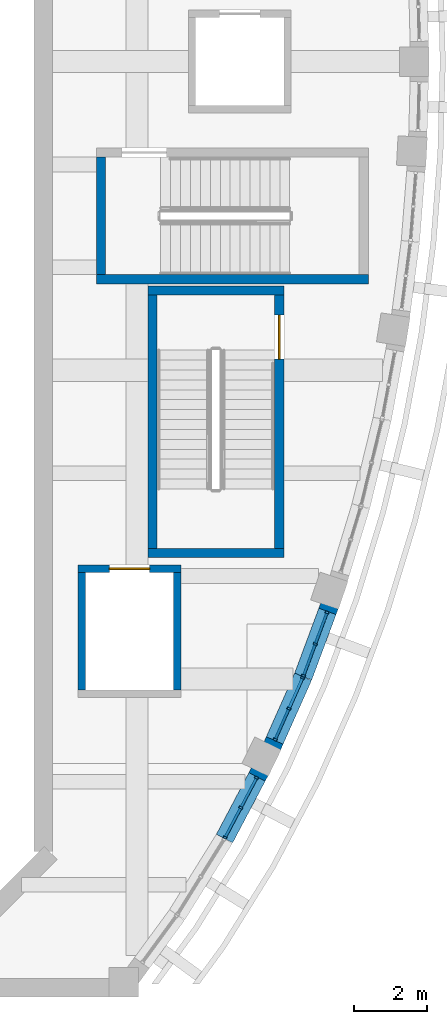
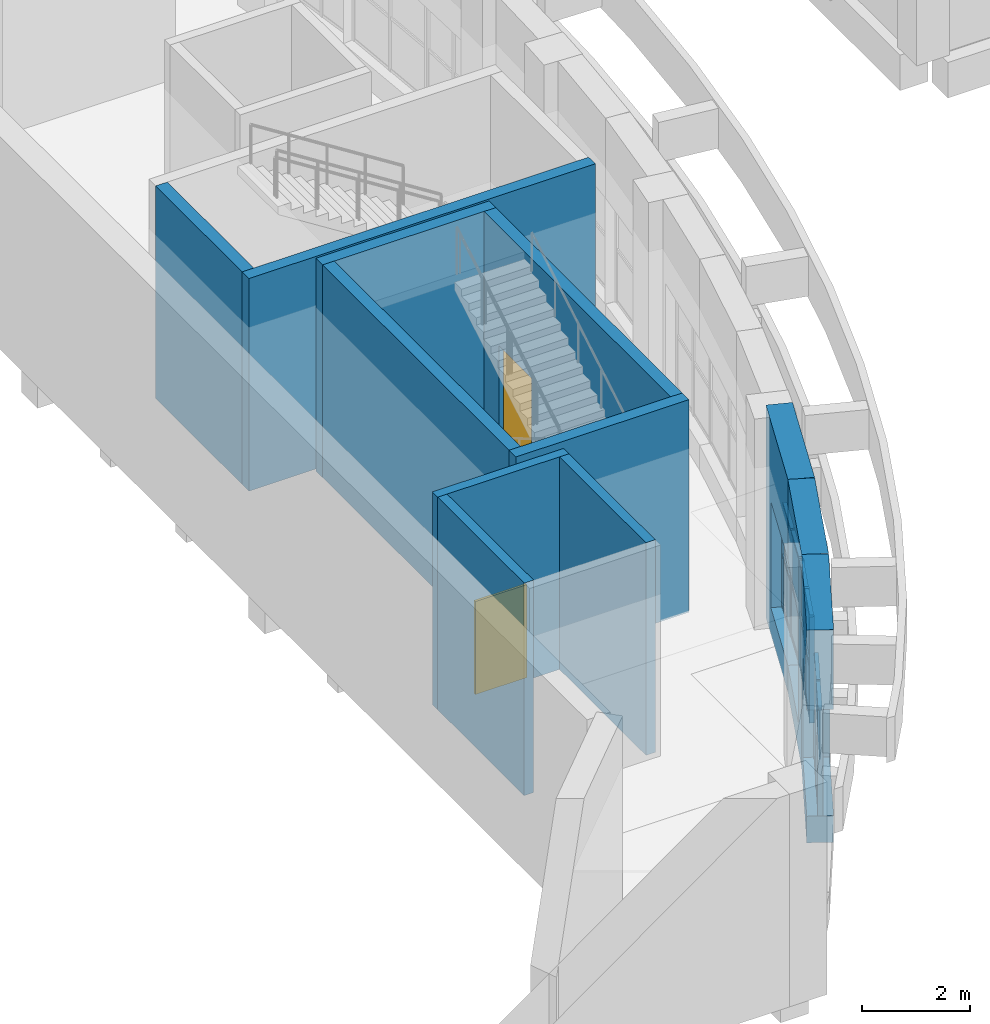
# One storey, part 26 of 79: 27 members, 12 plates, 12 walls, 2 doors, 5 openings, 3 elements without a shape of their own.
"""IFC4 building model written with IfcOpenShell, lengths in metres."""

from ifc_helpers import new_model, si_unit, direction, frame, frame_2d, origin, origin_2d, place, context, subcontext, project, spatial, rectangle, extrude, material, layer, layer_set, material_profile, profile_set, type_object, element, fill, aggregate, save


model = new_model("IFC4")

# Units and contexts
model_context = context("Model", 3, precision=1e-05, world=origin(), true_north=direction((0.0, 1.0)))
body_context = subcontext(model_context, "Body", "Model", "MODEL_VIEW")
ifc_project = project(units=[si_unit("LENGTHUNIT", "METRE"), si_unit("AREAUNIT", "SQUARE_METRE"), si_unit("VOLUMEUNIT", "CUBIC_METRE"), si_unit("PLANEANGLEUNIT", "RADIAN"), si_unit("MASSUNIT", "GRAM", prefix="KILO")], contexts=[model_context])

# Site, building, storey
site_placement = place(None, origin())
site = spatial("IfcSite", under=ifc_project, at=site_placement, CompositionType="ELEMENT")
building_placement = place(site_placement, origin())
building = spatial("IfcBuilding", under=site, at=building_placement, Name="Larchfold Concert Hall", CompositionType="ELEMENT")
storey_placement = place(building_placement, frame((0.0, 0.0, 14.39990234375)))
storey = spatial("IfcBuildingStorey", under=building, at=storey_placement, Name="L03", CompositionType="ELEMENT", Elevation=14.39990234375)

# Curtain wall, members
ifc_material_1 = material(Name="Anodised graphite aluminium curtain wall", Category="aluminium")
ifc_layer_1 = layer(ifc_material_1, 0.10009765625)
ifc_layer_set_1 = layer_set([ifc_layer_1], Name="Anodised graphite aluminium curtain wall")
curtain_wall_type = type_object("IfcCurtainWallType", Name="Curtain wall GB", PredefinedType="NOTDEFINED", material=ifc_layer_set_1)
curtain_wall_1_placement = place(storey_placement, origin())
curtain_wall_1 = element("IfcCurtainWall", 1, at=curtain_wall_1_placement, inside=storey, type_object=curtain_wall_type, Name="Curtain wall CW0052", PredefinedType="NOTDEFINED")
ifc_material_2 = material(Name="Anodised graphite aluminium mullion", Category="aluminium")
ifc_material_profile_1 = material_profile(ifc_material_2, rectangle(XDim=0.10009765625, YDim=0.06005859375, at=origin_2d()))
ifc_profile_set_1 = profile_set([ifc_material_profile_1], Name="Anodised graphite aluminium mullion")
member_type_1 = type_object("IfcMemberType", Name="Aluminium mullion 60x100", PredefinedType="MULLION", material=ifc_profile_set_1)
member_1_placement = place(storey_placement, frame((61.7998046875, 63.482177734375, 0.60009765625), z_axis=(0.0, 0.0, 1.0), x_axis=(-0.884521833753, 0.466498794868, 0.0)))
member_1 = element("IfcMember", 2, at=member_1_placement, type_object=member_type_1, Name="CW0052 mullion 1", PredefinedType="MULLION", context=body_context, shape_type="SweptSolid", body=[
    extrude(rectangle(XDim=0.10009765625, YDim=0.06005859375, at=origin_2d()), origin(), (0.0, 0.0, 1.0), 2.39990234375),
])
member_2_placement = place(storey_placement, frame((62.228759765625, 64.29541015625, 0.60009765625), z_axis=(0.0, 0.0, 1.0), x_axis=(-0.884521833753, 0.466498794868, 0.0)))
member_2 = element("IfcMember", 3, at=member_2_placement, type_object=member_type_1, Name="CW0052 mullion 2", PredefinedType="MULLION", context=body_context, shape_type="SweptSolid", body=[
    extrude(rectangle(XDim=0.10009765625, YDim=0.06005859375, at=origin_2d()), origin(), (0.0, 0.0, 1.0), 2.39990234375),
])
member_3_placement = place(storey_placement, frame((62.65771484375, 65.1083984375, 0.60009765625), z_axis=(0.0, 0.0, 1.0), x_axis=(-0.884521833753, 0.466498794868, 0.0)))
member_3 = element("IfcMember", 4, at=member_3_placement, type_object=member_type_1, Name="CW0052 mullion 3", PredefinedType="MULLION", context=body_context, shape_type="SweptSolid", body=[
    extrude(rectangle(XDim=0.10009765625, YDim=0.06005859375, at=origin_2d()), origin(), (0.0, 0.0, 1.0), 2.39990234375),
])

curtain_wall_2_placement = place(storey_placement, origin())
curtain_wall_2 = element("IfcCurtainWall", 5, at=curtain_wall_2_placement, inside=storey, type_object=curtain_wall_type, Name="Curtain wall CW0053", PredefinedType="NOTDEFINED")
member_4_placement = place(storey_placement, frame((63.164306640625, 66.15185546875, 0.60009765625), z_axis=(0.0, 0.0, 1.0), x_axis=(-0.913540898179, 0.406746883645, 0.0)))
member_4 = element("IfcMember", 6, at=member_4_placement, type_object=member_type_1, Name="CW0053 mullion 1", PredefinedType="MULLION", context=body_context, shape_type="SweptSolid", body=[
    extrude(rectangle(XDim=0.10009765625, YDim=0.06005859375, at=origin_2d()), origin(), (0.0, 0.0, 1.0), 2.39990234375),
])
member_5_placement = place(storey_placement, frame((63.538330078125, 66.99169921875, 0.60009765625), z_axis=(0.0, 0.0, 1.0), x_axis=(-0.913540898179, 0.406746883645, 0.0)))
member_5 = element("IfcMember", 7, at=member_5_placement, type_object=member_type_1, Name="CW0053 mullion 2", PredefinedType="MULLION", context=body_context, shape_type="SweptSolid", body=[
    extrude(rectangle(XDim=0.10009765625, YDim=0.06005859375, at=origin_2d()), origin(), (0.0, 0.0, 1.0), 2.39990234375),
])
member_6_placement = place(storey_placement, frame((63.912109375, 67.83154296875, 0.60009765625), z_axis=(0.0, 0.0, 1.0), x_axis=(-0.913540898179, 0.406746883645, 0.0)))
member_6 = element("IfcMember", 8, at=member_6_placement, type_object=member_type_1, Name="CW0053 mullion 3", PredefinedType="MULLION", context=body_context, shape_type="SweptSolid", body=[
    extrude(rectangle(XDim=0.10009765625, YDim=0.06005859375, at=origin_2d()), origin(), (0.0, 0.0, 1.0), 2.39990234375),
])

curtain_wall_3_placement = place(storey_placement, origin())
curtain_wall_3 = element("IfcCurtainWall", 9, at=curtain_wall_3_placement, inside=storey, type_object=curtain_wall_type, Name="Curtain wall CW0054", PredefinedType="NOTDEFINED")
member_7_placement = place(storey_placement, frame((63.934814453125, 67.886962890625, 0.60009765625), z_axis=(0.0, 0.0, 1.0), x_axis=(-0.937187641054, 0.348825637613, 0.0)))
member_7 = element("IfcMember", 10, at=member_7_placement, type_object=member_type_1, Name="CW0054 mullion 1", PredefinedType="MULLION", context=body_context, shape_type="SweptSolid", body=[
    extrude(rectangle(XDim=0.10009765625, YDim=0.06005859375, at=origin_2d()), origin(), (0.0, 0.0, 1.0), 2.39990234375),
])
member_8_placement = place(storey_placement, frame((64.25537109375, 68.748779296875, 0.60009765625), z_axis=(0.0, 0.0, 1.0), x_axis=(-0.937187641054, 0.348825637613, 0.0)))
member_8 = element("IfcMember", 11, at=member_8_placement, type_object=member_type_1, Name="CW0054 mullion 2", PredefinedType="MULLION", context=body_context, shape_type="SweptSolid", body=[
    extrude(rectangle(XDim=0.10009765625, YDim=0.06005859375, at=origin_2d()), origin(), (0.0, 0.0, 1.0), 2.39990234375),
])
member_9_placement = place(storey_placement, frame((64.576171875, 69.6103515625, 0.60009765625), z_axis=(0.0, 0.0, 1.0), x_axis=(-0.937187641054, 0.348825637613, 0.0)))
member_9 = element("IfcMember", 12, at=member_9_placement, type_object=member_type_1, Name="CW0054 mullion 3", PredefinedType="MULLION", context=body_context, shape_type="SweptSolid", body=[
    extrude(rectangle(XDim=0.10009765625, YDim=0.06005859375, at=origin_2d()), origin(), (0.0, 0.0, 1.0), 2.39990234375),
])

# Member
ifc_material_3 = material(Name="Anodised graphite aluminium transom", Category="aluminium")
ifc_material_profile_2 = material_profile(ifc_material_3, rectangle(XDim=0.080078125, YDim=0.06005859375, at=origin_2d()))
ifc_profile_set_2 = profile_set([ifc_material_profile_2], Name="Anodised graphite aluminium transom")
member_type_2 = type_object("IfcMemberType", Name="Aluminium transom 60x80", PredefinedType="USERDEFINED", material=ifc_profile_set_2)
member_10_placement = place(storey_placement, frame((61.81396484375, 63.508544921875, 0.630126953125), z_axis=(0.466425326776, 0.88456057709, 0.0), x_axis=(-0.88456057709, 0.466425326776, 0.0)))
member_10 = element("IfcMember", 13, at=member_10_placement, type_object=member_type_2, Name="CW0052 transom 1.1", ObjectType="TRANSOM", PredefinedType="USERDEFINED", context=body_context, shape_type="SweptSolid", body=[
    extrude(rectangle(XDim=0.080078125, YDim=0.06005859375, at=origin_2d()), origin(), (0.0, 0.0, 1.0), 0.859375),
])

member_11_placement = place(storey_placement, frame((61.81396484375, 63.508544921875, 1.800048828125), z_axis=(0.466425326776, 0.88456057709, 0.0), x_axis=(-0.88456057709, 0.466425326776, 0.0)))
member_11 = element("IfcMember", 14, at=member_11_placement, type_object=member_type_2, Name="CW0052 transom 1.2", ObjectType="TRANSOM", PredefinedType="USERDEFINED", context=body_context, shape_type="SweptSolid", body=[
    extrude(rectangle(XDim=0.080078125, YDim=0.06005859375, at=origin_2d()), origin(), (0.0, 0.0, 1.0), 0.859375),
])

member_12_placement = place(storey_placement, frame((61.81396484375, 63.508544921875, 2.969970703125), z_axis=(0.466425326776, 0.88456057709, 0.0), x_axis=(-0.88456057709, 0.466425326776, 0.0)))
member_12 = element("IfcMember", 15, at=member_12_placement, type_object=member_type_2, Name="CW0052 transom 1.3", ObjectType="TRANSOM", PredefinedType="USERDEFINED", context=body_context, shape_type="SweptSolid", body=[
    extrude(rectangle(XDim=0.080078125, YDim=0.06005859375, at=origin_2d()), origin(), (0.0, 0.0, 1.0), 0.859375),
])

member_13_placement = place(storey_placement, frame((62.24267578125, 64.32177734375, 0.630126953125), z_axis=(0.466425326776, 0.88456057709, 0.0), x_axis=(-0.88456057709, 0.466425326776, 0.0)))
member_13 = element("IfcMember", 16, at=member_13_placement, type_object=member_type_2, Name="CW0052 transom 2.1", ObjectType="TRANSOM", PredefinedType="USERDEFINED", context=body_context, shape_type="SweptSolid", body=[
    extrude(rectangle(XDim=0.080078125, YDim=0.06005859375, at=origin_2d()), origin(), (0.0, 0.0, 1.0), 0.859375),
])

member_14_placement = place(storey_placement, frame((62.24267578125, 64.32177734375, 1.800048828125), z_axis=(0.466425326776, 0.88456057709, 0.0), x_axis=(-0.88456057709, 0.466425326776, 0.0)))
member_14 = element("IfcMember", 17, at=member_14_placement, type_object=member_type_2, Name="CW0052 transom 2.2", ObjectType="TRANSOM", PredefinedType="USERDEFINED", context=body_context, shape_type="SweptSolid", body=[
    extrude(rectangle(XDim=0.080078125, YDim=0.06005859375, at=origin_2d()), origin(), (0.0, 0.0, 1.0), 0.859375),
])

member_15_placement = place(storey_placement, frame((62.24267578125, 64.32177734375, 2.969970703125), z_axis=(0.466425326776, 0.88456057709, 0.0), x_axis=(-0.88456057709, 0.466425326776, 0.0)))
member_15 = element("IfcMember", 18, at=member_15_placement, type_object=member_type_2, Name="CW0052 transom 2.3", ObjectType="TRANSOM", PredefinedType="USERDEFINED", context=body_context, shape_type="SweptSolid", body=[
    extrude(rectangle(XDim=0.080078125, YDim=0.06005859375, at=origin_2d()), origin(), (0.0, 0.0, 1.0), 0.859375),
])

member_16_placement = place(storey_placement, frame((63.176513671875, 66.179443359375, 0.630126953125), z_axis=(0.406876489942, 0.91348318098, 0.0), x_axis=(-0.91348318098, 0.406876489942, 0.0)))
member_16 = element("IfcMember", 19, at=member_16_placement, type_object=member_type_2, Name="CW0053 transom 1.1", ObjectType="TRANSOM", PredefinedType="USERDEFINED", context=body_context, shape_type="SweptSolid", body=[
    extrude(rectangle(XDim=0.080078125, YDim=0.06005859375, at=origin_2d()), origin(), (0.0, 0.0, 1.0), 0.859130859375),
])

member_17_placement = place(storey_placement, frame((63.176513671875, 66.179443359375, 1.800048828125), z_axis=(0.406876489942, 0.91348318098, 0.0), x_axis=(-0.91348318098, 0.406876489942, 0.0)))
member_17 = element("IfcMember", 20, at=member_17_placement, type_object=member_type_2, Name="CW0053 transom 1.2", ObjectType="TRANSOM", PredefinedType="USERDEFINED", context=body_context, shape_type="SweptSolid", body=[
    extrude(rectangle(XDim=0.080078125, YDim=0.06005859375, at=origin_2d()), origin(), (0.0, 0.0, 1.0), 0.859130859375),
])

member_18_placement = place(storey_placement, frame((63.176513671875, 66.179443359375, 2.969970703125), z_axis=(0.406876489942, 0.91348318098, 0.0), x_axis=(-0.91348318098, 0.406876489942, 0.0)))
member_18 = element("IfcMember", 21, at=member_18_placement, type_object=member_type_2, Name="CW0053 transom 1.3", ObjectType="TRANSOM", PredefinedType="USERDEFINED", context=body_context, shape_type="SweptSolid", body=[
    extrude(rectangle(XDim=0.080078125, YDim=0.06005859375, at=origin_2d()), origin(), (0.0, 0.0, 1.0), 0.859130859375),
])

member_19_placement = place(storey_placement, frame((63.55029296875, 67.01904296875, 0.630126953125), z_axis=(0.406876489942, 0.91348318098, 0.0), x_axis=(-0.91348318098, 0.406876489942, 0.0)))
member_19 = element("IfcMember", 22, at=member_19_placement, type_object=member_type_2, Name="CW0053 transom 2.1", ObjectType="TRANSOM", PredefinedType="USERDEFINED", context=body_context, shape_type="SweptSolid", body=[
    extrude(rectangle(XDim=0.080078125, YDim=0.06005859375, at=origin_2d()), origin(), (0.0, 0.0, 1.0), 0.859130859375),
])

member_20_placement = place(storey_placement, frame((63.55029296875, 67.01904296875, 1.800048828125), z_axis=(0.406876489942, 0.91348318098, 0.0), x_axis=(-0.91348318098, 0.406876489942, 0.0)))
member_20 = element("IfcMember", 23, at=member_20_placement, type_object=member_type_2, Name="CW0053 transom 2.2", ObjectType="TRANSOM", PredefinedType="USERDEFINED", context=body_context, shape_type="SweptSolid", body=[
    extrude(rectangle(XDim=0.080078125, YDim=0.06005859375, at=origin_2d()), origin(), (0.0, 0.0, 1.0), 0.859130859375),
])

member_21_placement = place(storey_placement, frame((63.55029296875, 67.01904296875, 2.969970703125), z_axis=(0.406876489942, 0.91348318098, 0.0), x_axis=(-0.91348318098, 0.406876489942, 0.0)))
member_21 = element("IfcMember", 24, at=member_21_placement, type_object=member_type_2, Name="CW0053 transom 2.3", ObjectType="TRANSOM", PredefinedType="USERDEFINED", context=body_context, shape_type="SweptSolid", body=[
    extrude(rectangle(XDim=0.080078125, YDim=0.06005859375, at=origin_2d()), origin(), (0.0, 0.0, 1.0), 0.859130859375),
])

member_22_placement = place(storey_placement, frame((63.9453125, 67.9150390625, 0.630126953125), z_axis=(0.348849770379, 0.937178658371, 0.0), x_axis=(-0.937178658371, 0.348849770379, 0.0)))
member_22 = element("IfcMember", 25, at=member_22_placement, type_object=member_type_2, Name="CW0054 transom 1.1", ObjectType="TRANSOM", PredefinedType="USERDEFINED", context=body_context, shape_type="SweptSolid", body=[
    extrude(rectangle(XDim=0.080078125, YDim=0.06005859375, at=origin_2d()), origin(), (0.0, 0.0, 1.0), 0.859375),
])

member_23_placement = place(storey_placement, frame((63.9453125, 67.9150390625, 1.800048828125), z_axis=(0.348849770379, 0.937178658371, 0.0), x_axis=(-0.937178658371, 0.348849770379, 0.0)))
member_23 = element("IfcMember", 26, at=member_23_placement, type_object=member_type_2, Name="CW0054 transom 1.2", ObjectType="TRANSOM", PredefinedType="USERDEFINED", context=body_context, shape_type="SweptSolid", body=[
    extrude(rectangle(XDim=0.080078125, YDim=0.06005859375, at=origin_2d()), origin(), (0.0, 0.0, 1.0), 0.859375),
])

member_24_placement = place(storey_placement, frame((63.9453125, 67.9150390625, 2.969970703125), z_axis=(0.348849770379, 0.937178658371, 0.0), x_axis=(-0.937178658371, 0.348849770379, 0.0)))
member_24 = element("IfcMember", 27, at=member_24_placement, type_object=member_type_2, Name="CW0054 transom 1.3", ObjectType="TRANSOM", PredefinedType="USERDEFINED", context=body_context, shape_type="SweptSolid", body=[
    extrude(rectangle(XDim=0.080078125, YDim=0.06005859375, at=origin_2d()), origin(), (0.0, 0.0, 1.0), 0.859375),
])

member_25_placement = place(storey_placement, frame((64.265869140625, 68.77685546875, 0.630126953125), z_axis=(0.348849770379, 0.937178658371, 0.0), x_axis=(-0.937178658371, 0.348849770379, 0.0)))
member_25 = element("IfcMember", 28, at=member_25_placement, type_object=member_type_2, Name="CW0054 transom 2.1", ObjectType="TRANSOM", PredefinedType="USERDEFINED", context=body_context, shape_type="SweptSolid", body=[
    extrude(rectangle(XDim=0.080078125, YDim=0.06005859375, at=origin_2d()), origin(), (0.0, 0.0, 1.0), 0.859375),
])

member_26_placement = place(storey_placement, frame((64.265869140625, 68.77685546875, 1.800048828125), z_axis=(0.348849770379, 0.937178658371, 0.0), x_axis=(-0.937178658371, 0.348849770379, 0.0)))
member_26 = element("IfcMember", 29, at=member_26_placement, type_object=member_type_2, Name="CW0054 transom 2.2", ObjectType="TRANSOM", PredefinedType="USERDEFINED", context=body_context, shape_type="SweptSolid", body=[
    extrude(rectangle(XDim=0.080078125, YDim=0.06005859375, at=origin_2d()), origin(), (0.0, 0.0, 1.0), 0.859375),
])

member_27_placement = place(storey_placement, frame((64.265869140625, 68.77685546875, 2.969970703125), z_axis=(0.348849770379, 0.937178658371, 0.0), x_axis=(-0.937178658371, 0.348849770379, 0.0)))
member_27 = element("IfcMember", 30, at=member_27_placement, type_object=member_type_2, Name="CW0054 transom 2.3", ObjectType="TRANSOM", PredefinedType="USERDEFINED", context=body_context, shape_type="SweptSolid", body=[
    extrude(rectangle(XDim=0.080078125, YDim=0.06005859375, at=origin_2d()), origin(), (0.0, 0.0, 1.0), 0.859375),
])

# Plate
ifc_material_4 = material(Name="Insulated glazing unit, glass", Category="glass")
ifc_layer_2 = layer(ifc_material_4, 0.02392578125)
ifc_layer_set_2 = layer_set([ifc_layer_2], Name="Insulated glazing unit, glass")
plate_type_1 = type_object("IfcPlateType", Name="Glass panel 24", PredefinedType="CURTAIN_PANEL", material=ifc_layer_set_2)
plate_1_placement = place(storey_placement, frame((62.014404296875, 63.888671875, 1.830078125), z_axis=(0.0, 0.0, 1.0), x_axis=(0.466498794868, 0.884521833753, 0.0)))
plate_1 = element("IfcPlate", 31, at=plate_1_placement, type_object=plate_type_1, Name="CW0052 panel 1.2", PredefinedType="CURTAIN_PANEL", context=body_context, shape_type="SweptSolid", body=[
    extrude(rectangle(XDim=0.859375, YDim=0.02392578125, at=origin_2d()), origin(), (0.0, 0.0, 1.0), 1.10986328125),
])

plate_2_placement = place(storey_placement, frame((62.443115234375, 64.701904296875, 1.830078125), z_axis=(0.0, 0.0, 1.0), x_axis=(0.466498794868, 0.884521833753, 0.0)))
plate_2 = element("IfcPlate", 32, at=plate_2_placement, type_object=plate_type_1, Name="CW0052 panel 2.2", PredefinedType="CURTAIN_PANEL", context=body_context, shape_type="SweptSolid", body=[
    extrude(rectangle(XDim=0.859375, YDim=0.02392578125, at=origin_2d()), origin(), (0.0, 0.0, 1.0), 1.10986328125),
])

plate_3_placement = place(storey_placement, frame((63.351318359375, 66.57177734375, 1.830078125), z_axis=(0.0, 0.0, 1.0), x_axis=(0.406746883645, 0.913540898179, 0.0)))
plate_3 = element("IfcPlate", 33, at=plate_3_placement, type_object=plate_type_1, Name="CW0053 panel 1.2", PredefinedType="CURTAIN_PANEL", context=body_context, shape_type="SweptSolid", body=[
    extrude(rectangle(XDim=0.859375, YDim=0.02392578125, at=origin_2d()), origin(), (0.0, 0.0, 1.0), 1.10986328125),
])

plate_4_placement = place(storey_placement, frame((63.72509765625, 67.41162109375, 1.830078125), z_axis=(0.0, 0.0, 1.0), x_axis=(0.406746883645, 0.913540898179, 0.0)))
plate_4 = element("IfcPlate", 34, at=plate_4_placement, type_object=plate_type_1, Name="CW0053 panel 2.2", PredefinedType="CURTAIN_PANEL", context=body_context, shape_type="SweptSolid", body=[
    extrude(rectangle(XDim=0.859375, YDim=0.02392578125, at=origin_2d()), origin(), (0.0, 0.0, 1.0), 1.10986328125),
])

plate_5_placement = place(storey_placement, frame((64.09521484375, 68.31787109375, 1.830078125), z_axis=(0.0, 0.0, 1.0), x_axis=(0.348825637613, 0.937187641054, 0.0)))
plate_5 = element("IfcPlate", 35, at=plate_5_placement, type_object=plate_type_1, Name="CW0054 panel 1.2", PredefinedType="CURTAIN_PANEL", context=body_context, shape_type="SweptSolid", body=[
    extrude(rectangle(XDim=0.859375, YDim=0.02392578125, at=origin_2d()), origin(), (0.0, 0.0, 1.0), 1.10986328125),
])

plate_6_placement = place(storey_placement, frame((64.415771484375, 69.179443359375, 1.830078125), z_axis=(0.0, 0.0, 1.0), x_axis=(0.348825637613, 0.937187641054, 0.0)))
plate_6 = element("IfcPlate", 36, at=plate_6_placement, type_object=plate_type_1, Name="CW0054 panel 2.2", PredefinedType="CURTAIN_PANEL", context=body_context, shape_type="SweptSolid", body=[
    extrude(rectangle(XDim=0.859375, YDim=0.02392578125, at=origin_2d()), origin(), (0.0, 0.0, 1.0), 1.10986328125),
])

ifc_material_5 = material(Name="White insulated panel")
ifc_layer_3 = layer(ifc_material_5, 0.050048828125)
ifc_layer_set_3 = layer_set([ifc_layer_3], Name="White insulated panel")
plate_type_2 = type_object("IfcPlateType", Name="Insulated spandrel panel 50", PredefinedType="CURTAIN_PANEL", material=ifc_layer_set_3)
plate_7_placement = place(storey_placement, frame((62.014404296875, 63.888671875, 0.66015625), z_axis=(0.0, 0.0, 1.0), x_axis=(0.466498794868, 0.884521833753, 0.0)))
plate_7 = element("IfcPlate", 37, at=plate_7_placement, type_object=plate_type_2, Name="CW0052 panel 1.1", PredefinedType="CURTAIN_PANEL", context=body_context, shape_type="SweptSolid", body=[
    extrude(rectangle(XDim=0.859375, YDim=0.050048828125, at=origin_2d()), origin(), (0.0, 0.0, 1.0), 1.10986328125),
])

plate_8_placement = place(storey_placement, frame((62.443115234375, 64.701904296875, 0.66015625), z_axis=(0.0, 0.0, 1.0), x_axis=(0.466498794868, 0.884521833753, 0.0)))
plate_8 = element("IfcPlate", 38, at=plate_8_placement, type_object=plate_type_2, Name="CW0052 panel 2.1", PredefinedType="CURTAIN_PANEL", context=body_context, shape_type="SweptSolid", body=[
    extrude(rectangle(XDim=0.859375, YDim=0.050048828125, at=origin_2d()), origin(), (0.0, 0.0, 1.0), 1.10986328125),
])

aggregate(curtain_wall_1, [member_1, member_2, member_3, member_10, member_11, member_12, plate_7, plate_1, member_13, member_14, member_15, plate_8, plate_2])

plate_9_placement = place(storey_placement, frame((63.351318359375, 66.57177734375, 0.66015625), z_axis=(0.0, 0.0, 1.0), x_axis=(0.406746883645, 0.913540898179, 0.0)))
plate_9 = element("IfcPlate", 39, at=plate_9_placement, type_object=plate_type_2, Name="CW0053 panel 1.1", PredefinedType="CURTAIN_PANEL", context=body_context, shape_type="SweptSolid", body=[
    extrude(rectangle(XDim=0.859375, YDim=0.050048828125, at=origin_2d()), origin(), (0.0, 0.0, 1.0), 1.10986328125),
])

plate_10_placement = place(storey_placement, frame((63.72509765625, 67.41162109375, 0.66015625), z_axis=(0.0, 0.0, 1.0), x_axis=(0.406746883645, 0.913540898179, 0.0)))
plate_10 = element("IfcPlate", 40, at=plate_10_placement, type_object=plate_type_2, Name="CW0053 panel 2.1", PredefinedType="CURTAIN_PANEL", context=body_context, shape_type="SweptSolid", body=[
    extrude(rectangle(XDim=0.859375, YDim=0.050048828125, at=origin_2d()), origin(), (0.0, 0.0, 1.0), 1.10986328125),
])

aggregate(curtain_wall_2, [member_4, member_5, member_6, member_16, member_17, member_18, plate_9, plate_3, member_19, member_20, member_21, plate_10, plate_4])

plate_11_placement = place(storey_placement, frame((64.09521484375, 68.31787109375, 0.66015625), z_axis=(0.0, 0.0, 1.0), x_axis=(0.348825637613, 0.937187641054, 0.0)))
plate_11 = element("IfcPlate", 41, at=plate_11_placement, type_object=plate_type_2, Name="CW0054 panel 1.1", PredefinedType="CURTAIN_PANEL", context=body_context, shape_type="SweptSolid", body=[
    extrude(rectangle(XDim=0.859375, YDim=0.050048828125, at=origin_2d()), origin(), (0.0, 0.0, 1.0), 1.10986328125),
])

plate_12_placement = place(storey_placement, frame((64.415771484375, 69.179443359375, 0.66015625), z_axis=(0.0, 0.0, 1.0), x_axis=(0.348825637613, 0.937187641054, 0.0)))
plate_12 = element("IfcPlate", 42, at=plate_12_placement, type_object=plate_type_2, Name="CW0054 panel 2.1", PredefinedType="CURTAIN_PANEL", context=body_context, shape_type="SweptSolid", body=[
    extrude(rectangle(XDim=0.859375, YDim=0.050048828125, at=origin_2d()), origin(), (0.0, 0.0, 1.0), 1.10986328125),
])

aggregate(curtain_wall_3, [member_7, member_8, member_9, member_22, member_23, member_24, plate_11, plate_5, member_25, member_26, member_27, plate_12, plate_6])

# Wall, opening, door
ifc_material_6 = material(Name="Concrete C40/50", Category="concrete")
ifc_layer_4 = layer(ifc_material_6, 0.199951171875)
ifc_layer_set_4 = layer_set([ifc_layer_4], Name="Concrete C40/50")
wall_type_1 = type_object("IfcWallType", Name="Wall RC 200 lift shaft", PredefinedType="SOLIDWALL", material=ifc_layer_set_4)
wall_1_placement = place(storey_placement, frame((57.800048828125, 70.7998046875, 0.0), z_axis=(0.0, 0.0, 1.0), x_axis=(1.0, 0.0, 0.0)))
wall_1 = element("IfcWall", 43, at=wall_1_placement, inside=storey, type_object=wall_type_1, Name="Wall W0111", PredefinedType="SOLIDWALL", context=body_context, shape_type="SweptSolid", body=[
    extrude(rectangle(XDim=2.800048828125, YDim=0.199951171875, at=frame_2d((1.39990234375, 0.0))), origin(), (0.0, 0.0, 1.0), 4.800048828125),
])
opening_1_placement = place(wall_1_placement, frame((0.85009765625, 0.0, 0.0)))
opening_1 = element("IfcOpeningElement", 44, at=opening_1_placement, cuts=wall_1, Name="Opening LD-LF01", PredefinedType="OPENING", context=body_context, shape_type="SweptSolid", body=[
    extrude(rectangle(XDim=1.10009765625, YDim=2.10009765625, at=frame_2d((0.550048828125, 1.050048828125))), frame((0.0, 0.10986328125, 0.0), z_axis=(0.0, -1.0, 0.0), x_axis=(1.0, 0.0, 0.0)), (0.0, 0.0, 1.0), 0.219970703125),
])
ifc_material_7 = material(Name="Stainless steel sliding leaves", Category="steel")
door_type_1 = type_object("IfcDoorType", Name="Lift landing door sliding 1100 x 2100", OperationType="SLIDING_TO_LEFT", PredefinedType="DOOR", material=ifc_material_7)
door_1_placement = place(opening_1_placement, origin())
door_1 = element("IfcDoor", 45, at=door_1_placement, inside=storey, type_object=door_type_1, Name="Lift landing door LF01", OperationType="SLIDING_TO_LEFT", OverallHeight=2.10009765625, OverallWidth=1.10009765625, PredefinedType="DOOR", context=body_context, shape_type="SweptSolid", body=[
    extrude(rectangle(XDim=1.10009765625, YDim=2.10009765625, at=frame_2d((0.550048828125, 1.050048828125))), frame((0.0, 0.02490234375, 0.0), z_axis=(0.0, -1.0, 0.0), x_axis=(1.0, 0.0, 0.0)), (0.0, 0.0, 1.0), 0.050048828125),
])
fill(opening_1, door_1)

# Walls
for number, where, z_axis, x_axis, name in (
    (46, (57.900146484375, 67.5, 0.0), (0.0, 0.0, 1.0), (0.0, 1.0, 0.0), "Wall W0112"),
    (47, (60.5, 67.5, 0.0), (0.0, 0.0, 1.0), (0.0, 1.0, 0.0), "Wall W0113"),
):
    element("IfcWall", number, at=place(storey_placement, frame(where, z_axis=z_axis, x_axis=x_axis)), inside=storey, type_object=wall_type_1, Name=name, PredefinedType="SOLIDWALL", context=body_context, shape_type="SweptSolid", body=[
        extrude(rectangle(XDim=3.199951171875, YDim=0.199951171875, at=frame_2d((1.60009765625, 0.0))), origin(), (0.0, 0.0, 1.0), 4.800048828125),
    ])
ifc_material_8 = material(Name="Concrete C40/50", Category="concrete")
ifc_layer_5 = layer(ifc_material_8, 0.25)
ifc_layer_set_5 = layer_set([ifc_layer_5], Name="Concrete C40/50")
wall_type_2 = type_object("IfcWallType", Name="Wall RC 250 stair core", PredefinedType="SOLIDWALL", material=ifc_layer_set_5)
for number, where, z_axis, x_axis, name in (
    (48, (59.699951171875, 71.22509765625, 0.0), (0.0, 0.0, 1.0), (1.0, 0.0, 0.0), "Wall W0050"),
    (49, (59.699951171875, 78.375, 0.0), (0.0, 0.0, 1.0), (1.0, 0.0, 0.0), "Wall W0051"),
):
    element("IfcWall", number, at=place(storey_placement, frame(where, z_axis=z_axis, x_axis=x_axis)), inside=storey, type_object=wall_type_2, Name=name, PredefinedType="SOLIDWALL", context=body_context, shape_type="SweptSolid", body=[
        extrude(rectangle(XDim=3.699951171875, YDim=0.25, at=frame_2d((1.85009765625, 0.0))), origin(), (0.0, 0.0, 1.0), 4.800048828125),
    ])
wall_2_placement = place(storey_placement, frame((59.824951171875, 71.35009765625, 0.0), z_axis=(0.0, 0.0, 1.0), x_axis=(0.0, 1.0, 0.0)))
element("IfcWall", 50, at=wall_2_placement, inside=storey, type_object=wall_type_2, Name="Wall W0052", PredefinedType="SOLIDWALL", context=body_context, shape_type="SweptSolid", body=[
    extrude(rectangle(XDim=6.89990234375, YDim=0.25, at=frame_2d((3.449951171875, 0.0))), origin(), (0.0, 0.0, 1.0), 4.800048828125),
])

# Wall, opening, door
wall_3_placement = place(storey_placement, frame((63.27490234375, 71.35009765625, 0.0), z_axis=(0.0, 0.0, 1.0), x_axis=(0.0, 1.0, 0.0)))
wall_3 = element("IfcWall", 51, at=wall_3_placement, inside=storey, type_object=wall_type_2, Name="Wall W0053", PredefinedType="SOLIDWALL", context=body_context, shape_type="SweptSolid", body=[
    extrude(rectangle(XDim=6.89990234375, YDim=0.25, at=frame_2d((3.449951171875, 0.0))), origin(), (0.0, 0.0, 1.0), 4.800048828125),
])
opening_2_placement = place(wall_3_placement, frame((5.14990234375, 0.0, 0.0)))
opening_2 = element("IfcOpeningElement", 52, at=opening_2_placement, cuts=wall_3, Name="Opening D-L03-130", PredefinedType="OPENING", context=body_context, shape_type="SweptSolid", body=[
    extrude(rectangle(XDim=1.199951171875, YDim=2.10009765625, at=frame_2d((0.60009765625, 1.050048828125))), frame((0.0, 0.135009765625, 0.0), z_axis=(0.0, -1.0, 0.0), x_axis=(1.0, 0.0, 0.0)), (0.0, 0.0, 1.0), 0.27001953125),
])
ifc_material_9 = material(Name="Timber door leaf", Category="wood")
door_type_2 = type_object("IfcDoorType", Name="Stair enclosure door pair 1200 x 2100 FD60", OperationType="SINGLE_SWING_LEFT", PredefinedType="DOOR", material=ifc_material_9)
door_2_placement = place(opening_2_placement, origin())
door_2 = element("IfcDoor", 53, at=door_2_placement, inside=storey, type_object=door_type_2, Name="Door D-L03-130", OperationType="DOUBLE_DOOR_SINGLE_SWING", OverallHeight=2.10009765625, OverallWidth=1.199951171875, PredefinedType="DOOR", context=body_context, shape_type="SweptSolid", body=[
    extrude(rectangle(XDim=1.199951171875, YDim=2.10009765625, at=frame_2d((0.60009765625, 1.050048828125))), frame((0.0, 0.02490234375, 0.0), z_axis=(0.0, -1.0, 0.0), x_axis=(1.0, 0.0, 0.0)), (0.0, 0.0, 1.0), 0.050048828125),
])
fill(opening_2, door_2)

# Walls
wall_4_placement = place(storey_placement, frame((58.300048828125, 78.675048828125, 0.0), z_axis=(0.0, 0.0, 1.0), x_axis=(1.0, 0.0, 0.0)))
element("IfcWall", 54, at=wall_4_placement, inside=storey, type_object=wall_type_2, Name="Wall W0058", PredefinedType="SOLIDWALL", context=body_context, shape_type="SweptSolid", body=[
    extrude(rectangle(XDim=7.39990234375, YDim=0.25, at=frame_2d((3.699951171875, 0.0))), origin(), (0.0, 0.0, 1.0), 4.800048828125),
])
wall_5_placement = place(storey_placement, frame((58.425048828125, 78.800048828125, 0.0), z_axis=(0.0, 0.0, 1.0), x_axis=(0.0, 1.0, 0.0)))
element("IfcWall", 55, at=wall_5_placement, inside=storey, type_object=wall_type_2, Name="Wall W0060", PredefinedType="SOLIDWALL", context=body_context, shape_type="SweptSolid", body=[
    extrude(rectangle(XDim=3.199951171875, YDim=0.25, at=frame_2d((1.60009765625, 0.0))), origin(), (0.0, 0.0, 1.0), 4.800048828125),
])

# Wall, opening
ifc_material_10 = material(Name="Concrete C30/37", Category="concrete")
ifc_layer_6 = layer(ifc_material_10, 0.5)
ifc_layer_set_6 = layer_set([ifc_layer_6], Name="Concrete C30/37")
wall_type_3 = type_object("IfcWallType", Name="Wall RC 500 drum facade", PredefinedType="SOLIDWALL", material=ifc_layer_set_6)
wall_6_placement = place(storey_placement, frame((61.785888671875, 63.45556640625, 0.0), z_axis=(0.0, 0.0, 1.0), x_axis=(0.466448872517, 0.884548161112, 0.0)))
wall_6 = element("IfcWall", 56, at=wall_6_placement, inside=storey, type_object=wall_type_3, Name="Wall DW053", PredefinedType="SOLIDWALL", context=body_context, shape_type="SweptSolid", body=[
    extrude(rectangle(XDim=2.448974609375, YDim=0.5, at=frame_2d((1.224609375, 0.0))), origin(), (0.0, 0.0, 1.0), 4.800048828125),
])
opening_3_placement = place(wall_6_placement, frame((0.0, 0.0, 0.60009765625)))
opening_3 = element("IfcOpeningElement", 57, at=opening_3_placement, cuts=wall_6, Name="Opening CW0052", PredefinedType="OPENING", context=body_context, shape_type="SweptSolid", body=[
    extrude(rectangle(XDim=1.898681640625, YDim=2.39990234375, at=frame_2d((0.94921875, 1.199951171875))), frame((0.0, 0.260009765625, 0.0), z_axis=(0.0, -1.0, 0.0), x_axis=(1.0, 0.0, 0.0)), (0.0, 0.0, 1.0), 0.52001953125),
])

fill(opening_3, curtain_wall_1)

wall_7_placement = place(storey_placement, frame((62.92822265625, 65.621826171875, 0.0), z_axis=(0.0, 0.0, 1.0), x_axis=(0.406767391574, 0.913531766909, 0.0)))
wall_7 = element("IfcWall", 58, at=wall_7_placement, inside=storey, type_object=wall_type_3, Name="Wall DW054", PredefinedType="SOLIDWALL", context=body_context, shape_type="SweptSolid", body=[
    extrude(rectangle(XDim=2.44873046875, YDim=0.5, at=frame_2d((1.224365234375, 0.0))), origin(), (0.0, 0.0, 1.0), 4.800048828125),
])
opening_4_placement = place(wall_7_placement, frame((0.55029296875, 0.0, 0.60009765625)))
opening_4 = element("IfcOpeningElement", 59, at=opening_4_placement, cuts=wall_7, Name="Opening CW0053", PredefinedType="OPENING", context=body_context, shape_type="SweptSolid", body=[
    extrude(rectangle(XDim=1.8984375, YDim=2.39990234375, at=frame_2d((0.94921875, 1.199951171875))), frame((0.0, 0.260009765625, 0.0), z_axis=(0.0, -1.0, 0.0), x_axis=(1.0, 0.0, 0.0)), (0.0, 0.0, 1.0), 0.52001953125),
])

fill(opening_4, curtain_wall_2)

wall_8_placement = place(storey_placement, frame((63.92431640625, 67.85888671875, 0.0), z_axis=(0.0, 0.0, 1.0), x_axis=(0.348817204426, 0.937190779882, 0.0)))
wall_8 = element("IfcWall", 60, at=wall_8_placement, inside=storey, type_object=wall_type_3, Name="Wall DW055", PredefinedType="SOLIDWALL", context=body_context, shape_type="SweptSolid", body=[
    extrude(rectangle(XDim=2.448974609375, YDim=0.5, at=frame_2d((1.224609375, 0.0))), origin(), (0.0, 0.0, 1.0), 4.800048828125),
])
opening_5_placement = place(wall_8_placement, frame((0.0, 0.0, 0.60009765625)))
opening_5 = element("IfcOpeningElement", 61, at=opening_5_placement, cuts=wall_8, Name="Opening CW0054", PredefinedType="OPENING", context=body_context, shape_type="SweptSolid", body=[
    extrude(rectangle(XDim=1.89892578125, YDim=2.39990234375, at=frame_2d((0.949462890625, 1.199951171875))), frame((0.0, 0.260009765625, 0.0), z_axis=(0.0, -1.0, 0.0), x_axis=(1.0, 0.0, 0.0)), (0.0, 0.0, 1.0), 0.52001953125),
])

fill(opening_5, curtain_wall_3)

save(model, "model.ifc")
